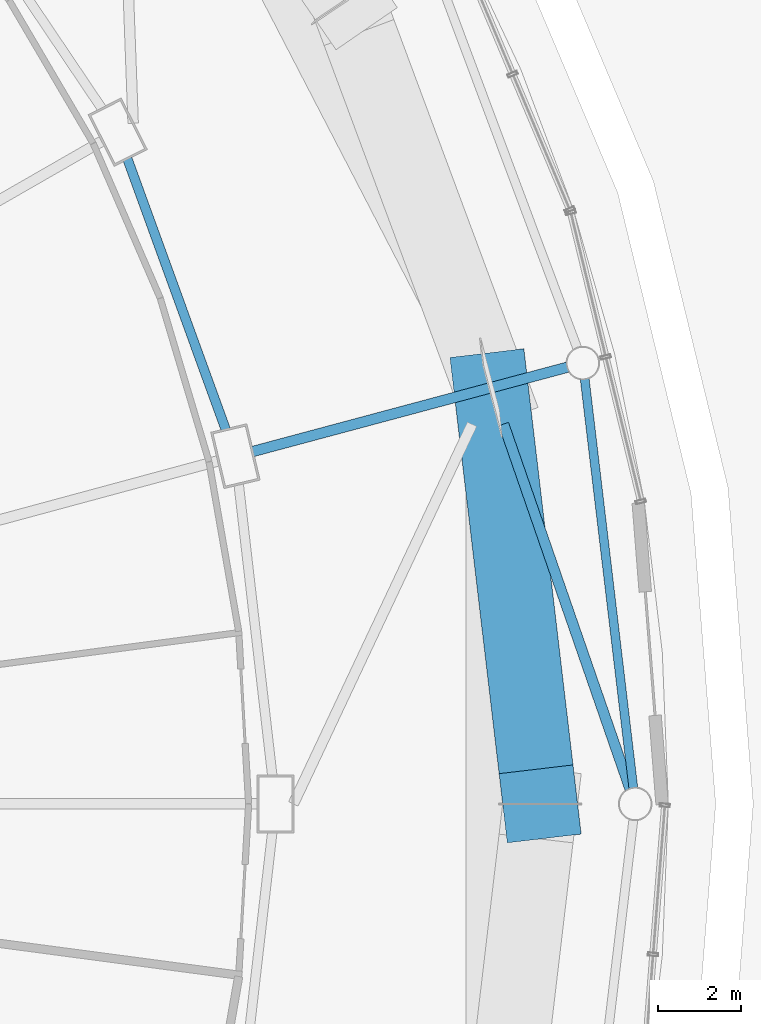
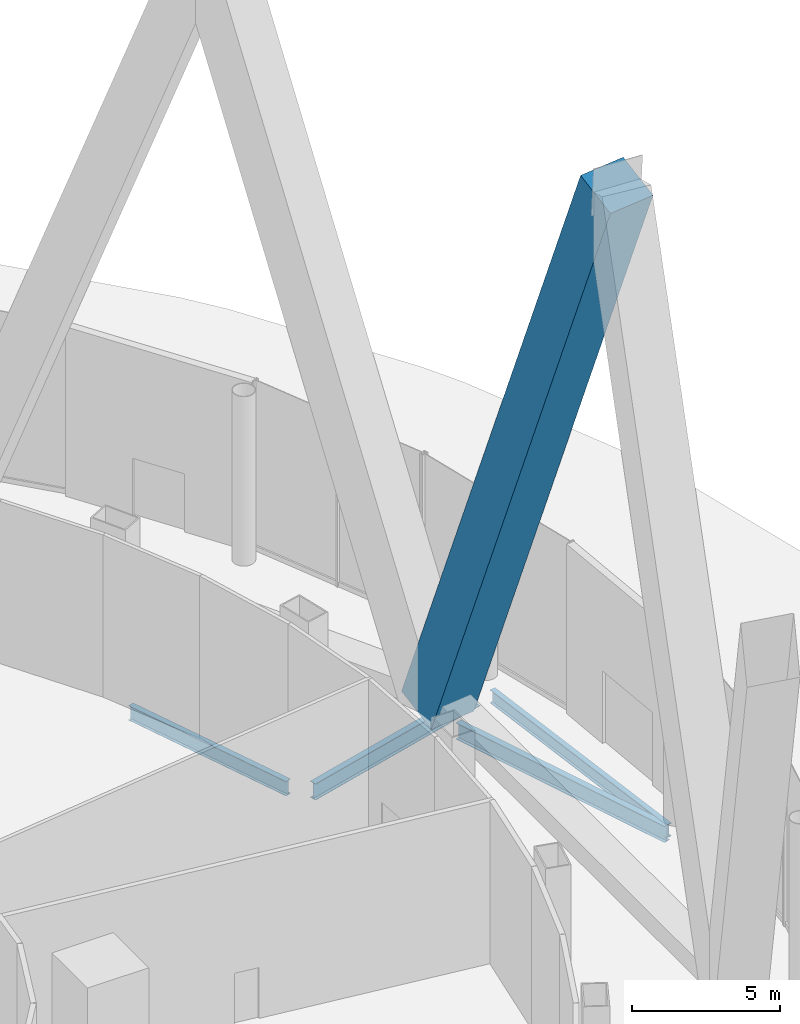
# One storey, part 37 of 67: 4 beams, 1 member.
"""IFC4 building model written with IfcOpenShell, lengths in metres."""

from ifc_helpers import new_model, si_unit, direction, frame, origin, origin_2d, place, context, subcontext, project, spatial, rectangle, i_section, extrude, material, material_profile, profile_set, type_object, element, save


model = new_model("IFC4")

# Units and contexts
model_context = context("Model", 3, precision=1e-05, world=origin(), true_north=direction((0.0, 1.0)))
body_context = subcontext(model_context, "Body", "Model", "MODEL_VIEW")
ifc_project = project(units=[si_unit("LENGTHUNIT", "METRE"), si_unit("AREAUNIT", "SQUARE_METRE"), si_unit("VOLUMEUNIT", "CUBIC_METRE"), si_unit("PLANEANGLEUNIT", "RADIAN"), si_unit("MASSUNIT", "GRAM", prefix="KILO")], contexts=[model_context])

# Site, building, storey
site_placement = place(None, origin())
site = spatial("IfcSite", under=ifc_project, at=site_placement, CompositionType="ELEMENT")
building_placement = place(site_placement, origin())
building = spatial("IfcBuilding", under=site, at=building_placement, Name="Nagisa Residences", CompositionType="ELEMENT")
storey_placement = place(building_placement, origin())
storey = spatial("IfcBuildingStorey", under=building, at=storey_placement, Name="L00", CompositionType="ELEMENT", Elevation=0.0)

# Beams
ifc_material_1 = material(Name="Steel ASTM A572 Gr 50", Category="steel")
ifc_material_profile_1 = material_profile(ifc_material_1, i_section(OverallWidth=0.2529296875, OverallDepth=0.677978515625, WebThickness=0.01171875, FlangeThickness=0.016357421875, at=origin_2d()), Name="W690x125")
ifc_profile_set_1 = profile_set([ifc_material_profile_1], Name="Steel ASTM A572 Gr 50")
beam_type_1 = type_object("IfcBeamType", Name="Atrium outer beam W690x125", PredefinedType="BEAM", material=ifc_profile_set_1)
beam_1_placement = place(storey_placement, frame((37.6162109375, 9.18701171875, -0.739013671875), z_axis=(0.327439256124, -0.944872231336, 0.0), x_axis=(0.944872231336, 0.327439256124, 0.0)))
element("IfcBeam", 1, at=beam_1_placement, inside=storey, type_object=beam_type_1, Name="beam:L00:er01b", PredefinedType="BEAM", context=body_context, shape_type="SweptSolid", body=[
    extrude(i_section(OverallWidth=0.2529296875, OverallDepth=0.677978515625, WebThickness=0.01171875, FlangeThickness=0.016357421875, at=origin_2d()), origin(), (0.0, 0.0, 1.0), 9.33642578125),
])
beam_2_placement = place(storey_placement, frame((31.54443359375, 8.52294921875, -0.739013671875), z_axis=(0.965928422324, 0.258809356376, 0.0), x_axis=(-0.258809356376, 0.965928422324, 0.0)))
element("IfcBeam", 2, at=beam_2_placement, inside=storey, type_object=beam_type_1, Name="beam:L00:er02", PredefinedType="BEAM", context=body_context, shape_type="SweptSolid", body=[
    extrude(i_section(OverallWidth=0.2529296875, OverallDepth=0.677978515625, WebThickness=0.01171875, FlangeThickness=0.016357421875, at=origin_2d()), origin(), (0.0, 0.0, 1.0), 7.88330078125),
])
ifc_material_2 = material(Name="Steel ASTM A572 Gr 50", Category="steel")
ifc_material_profile_2 = material_profile(ifc_material_2, i_section(OverallWidth=0.214111328125, OverallDepth=0.549072265625, WebThickness=0.0146484375, FlangeThickness=0.023681640625, at=origin_2d()), Name="W530x138")
ifc_profile_set_2 = profile_set([ifc_material_profile_2], Name="Steel ASTM A572 Gr 50")
beam_type_2 = type_object("IfcBeamType", Name="Atrium ring beam W530x138", PredefinedType="BEAM", material=ifc_profile_set_2)
beam_3_placement = place(storey_placement, frame((40.75439453125, 0.3837890625, -0.674560546875), z_axis=(-0.118035165542, 0.993009415713, 0.0), x_axis=(-0.993009415713, -0.118035165542, 0.0)))
element("IfcBeam", 3, at=beam_3_placement, inside=storey, type_object=beam_type_2, Name="beam:L00:ab01", PredefinedType="BEAM", context=body_context, shape_type="SweptSolid", body=[
    extrude(i_section(OverallWidth=0.214111328125, OverallDepth=0.549072265625, WebThickness=0.0146484375, FlangeThickness=0.023681640625, at=origin_2d()), origin(), (0.0, 0.0, 1.0), 9.96533203125),
])

# Member
ifc_material_3 = material(Name="Concrete C80", Category="concrete")
ifc_material_profile_3 = material_profile(ifc_material_3, rectangle(XDim=1.800048828125, YDim=1.800048828125, at=origin_2d()), Name="C80 1800x1800")
ifc_profile_set_3 = profile_set([ifc_material_profile_3], Name="Concrete C80")
member_type = type_object("IfcMemberType", Name="Cage diagonal 1 C80 1800x1800", PredefinedType="BRACE", material=ifc_profile_set_3)
member_placement = place(storey_placement, frame((37.310791015625, 10.068115234375, 0.0), z_axis=(0.041233826702, -0.349095007056, 0.936179709022), x_axis=(0.993096417331, 0.117300920217, 0.0)))
element("IfcMember", 4, at=member_placement, inside=storey, type_object=member_type, Name="mem:L00:cg1d001", PredefinedType="BRACE", context=body_context, shape_type="SweptSolid", body=[
    extrude(rectangle(XDim=1.800048828125, YDim=1.800048828125, at=origin_2d()), origin(), (0.0, 0.0, 1.0), 28.840576171875),
])

# Beam
ifc_material_4 = material(Name="Steel ASTM A572 Gr 50", Category="steel")
ifc_material_profile_4 = material_profile(ifc_material_4, i_section(OverallWidth=0.22802734375, OverallDepth=0.60302734375, WebThickness=0.010498046875, FlangeThickness=0.014892578125, at=origin_2d()), Name="W610x101")
ifc_profile_set_4 = profile_set([ifc_material_profile_4], Name="Steel ASTM A572 Gr 50")
beam_type_3 = type_object("IfcBeamType", Name="Perimeter ring beam W610x101", PredefinedType="BEAM", material=ifc_profile_set_4)
beam_4_placement = place(storey_placement, frame((30.89501953125, 9.055419921875, -0.701416015625), z_axis=(-0.341411143183, 0.939914055279, 0.0), x_axis=(-0.939914055279, -0.341411143183, 0.0)))
element("IfcBeam", 5, at=beam_4_placement, inside=storey, type_object=beam_type_3, Name="beam:L00:pb02", PredefinedType="BEAM", context=body_context, shape_type="SweptSolid", body=[
    extrude(i_section(OverallWidth=0.22802734375, OverallDepth=0.60302734375, WebThickness=0.010498046875, FlangeThickness=0.014892578125, at=origin_2d()), origin(), (0.0, 0.0, 1.0), 6.96923828125),
])

save(model, "model.ifc")
